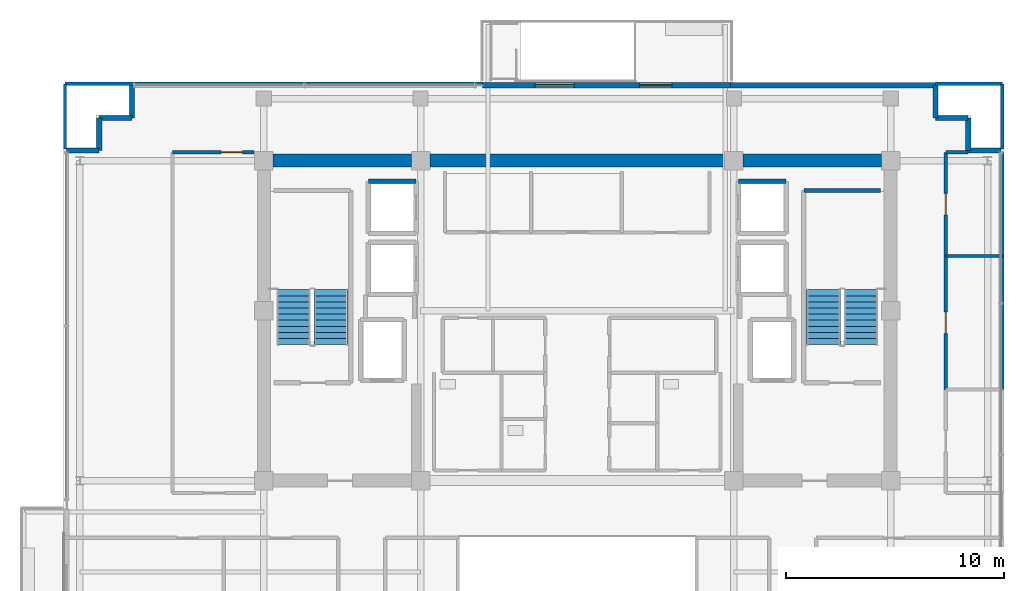
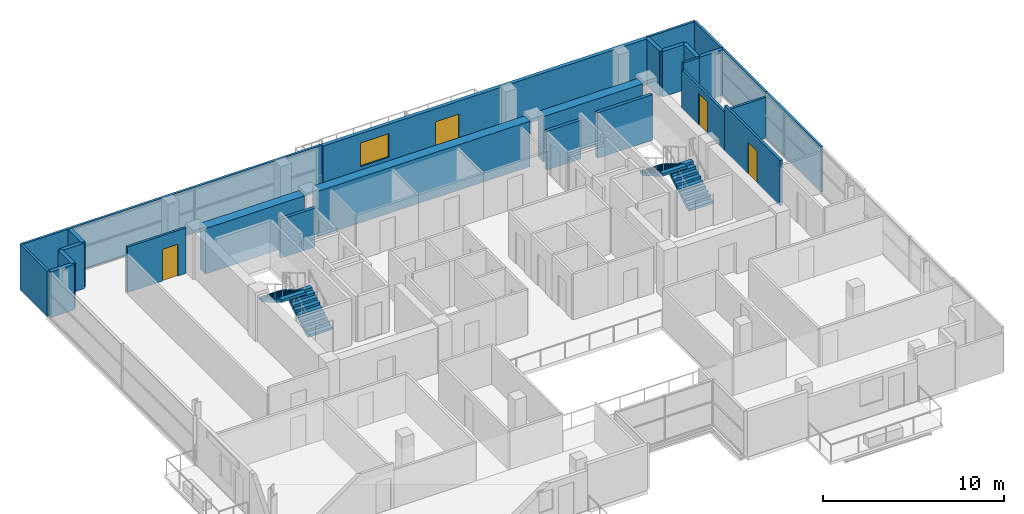
# One storey, part 19 of 24: 27 walls, 4 doors, 4 stair flights, 1 window, 5 openings, 2 elements without a shape of their own.
"""IFC4 building model written with IfcOpenShell, lengths in metres."""

from ifc_helpers import new_model, si_unit, direction, frame, frame_2d, origin, place, context, subcontext, project, spatial, polyline, rectangle, outline, extrude, source, transform, mapped, material, layer, layer_set, type_object, element, fill, aggregate, save


model = new_model("IFC4")

# Units and contexts
model_context = context("Model", 3, precision=1e-05, world=origin(), true_north=direction((0.0, 1.0)))
body_context = subcontext(model_context, "Body", "Model", "MODEL_VIEW")
ifc_project = project(units=[si_unit("LENGTHUNIT", "METRE"), si_unit("AREAUNIT", "SQUARE_METRE"), si_unit("VOLUMEUNIT", "CUBIC_METRE"), si_unit("PLANEANGLEUNIT", "RADIAN"), si_unit("MASSUNIT", "GRAM", prefix="KILO")], contexts=[model_context])

# Site, building, storey
site_placement = place(None, origin())
site = spatial("IfcSite", under=ifc_project, at=site_placement, CompositionType="ELEMENT")
building_placement = place(site_placement, origin())
building = spatial("IfcBuilding", under=site, at=building_placement, Name="Zarnakvel Exchange Tower", CompositionType="ELEMENT")
storey_placement = place(building_placement, frame((0.0, 0.0, 208.89990234375)))
storey = spatial("IfcBuildingStorey", under=building, at=storey_placement, Name="L58", CompositionType="ELEMENT", Elevation=208.89990234375)

# Walls
ifc_material_1 = material(Name="Concrete C50/60", Category="concrete")
ifc_layer_1 = layer(ifc_material_1, 0.60009765625)
ifc_layer_set_1 = layer_set([ifc_layer_1], Name="Concrete C50/60")
wall_type_1 = type_object("IfcWallType", Name="CW-C5", PredefinedType="SHEAR", material=ifc_layer_set_1)
wall_1_placement = place(storey_placement, frame((-13.97509765625, 13.5, 0.0), z_axis=(0.0, 0.0, 1.0), x_axis=(1.0, 0.0, 0.0)))
element("IfcWall", 1, at=wall_1_placement, inside=storey, type_object=wall_type_1, Name="L58 Rear Core Shear Wall N1 (CW-C5)", PredefinedType="SHEAR", context=body_context, shape_type="SweptSolid", body=[
    extrude(rectangle(XDim=6.35009765625, YDim=0.60009765625, at=frame_2d((3.175048828125, 0.0))), origin(), (0.0, 0.0, 1.0), 3.0751953125),
])
wall_2_placement = place(storey_placement, frame((-6.77490234375, 13.5, 0.0), z_axis=(0.0, 0.0, 1.0), x_axis=(1.0, 0.0, 0.0)))
element("IfcWall", 2, at=wall_2_placement, inside=storey, type_object=wall_type_1, Name="L58 Rear Core Shear Wall N2 (CW-C5)", PredefinedType="SHEAR", context=body_context, shape_type="SweptSolid", body=[
    extrude(rectangle(XDim=13.5498046875, YDim=0.60009765625, at=frame_2d((6.77490234375, 0.0))), origin(), (0.0, 0.0, 1.0), 3.0751953125),
])
wall_3_placement = place(storey_placement, frame((7.625, 13.5, 0.0), z_axis=(0.0, 0.0, 1.0), x_axis=(1.0, 0.0, 0.0)))
element("IfcWall", 3, at=wall_3_placement, inside=storey, type_object=wall_type_1, Name="L58 Rear Core Shear Wall N3 (CW-C5)", PredefinedType="SHEAR", context=body_context, shape_type="SweptSolid", body=[
    extrude(rectangle(XDim=6.35009765625, YDim=0.60009765625, at=frame_2d((3.175048828125, 0.0))), origin(), (0.0, 0.0, 1.0), 3.0751953125),
])

# Wall, openings, door, window
ifc_material_2 = material(Name="Precast concrete C40/50", Category="concrete")
ifc_layer_2 = layer(ifc_material_2, 0.239990234375)
ifc_layer_set_2 = layer_set([ifc_layer_2], Name="Precast concrete C40/50")
wall_type_2 = type_object("IfcWallType", Name="EW-02", PredefinedType="SOLIDWALL", material=ifc_layer_set_2)
wall_4_placement = place(storey_placement, frame((-4.35009765625, 16.9599609375, 0.0), z_axis=(0.0, 0.0, 1.0), x_axis=(1.0, 0.0, 0.0)))
wall_4 = element("IfcWall", 4, at=wall_4_placement, inside=storey, type_object=wall_type_2, Name="L58 Exterior Precast Spandrel Wall EW-SPTER-L58 (EW-02)", PredefinedType="SOLIDWALL", context=body_context, shape_type="SweptSolid", body=[
    extrude(rectangle(XDim=11.400146484375, YDim=0.239990234375, at=frame_2d((5.7001953125, 0.0))), origin(), (0.0, 0.0, 1.0), 3.0751953125),
])
opening_1_placement = place(wall_4_placement, frame((7.199951171875, 0.0, 0.0)))
opening_1 = element("IfcOpeningElement", 5, at=opening_1_placement, cuts=wall_4, Name="Opening TD-L58-SP", PredefinedType="OPENING", context=body_context, shape_type="SweptSolid", body=[
    extrude(rectangle(XDim=1.5, YDim=2.199951171875, at=frame_2d((0.75, 1.10009765625))), frame((0.0, 0.1298828125, 0.0), z_axis=(0.0, -1.0, 0.0), x_axis=(1.0, 0.0, 0.0)), (0.0, 0.0, 1.0), 0.260009765625),
])
opening_2_placement = place(wall_4_placement, frame((2.39990234375, 0.0, 0.85009765625)))
opening_2 = element("IfcOpeningElement", 6, at=opening_2_placement, cuts=wall_4, Name="Opening WN-05", PredefinedType="OPENING", context=body_context, shape_type="SweptSolid", body=[
    extrude(rectangle(XDim=1.800048828125, YDim=1.60009765625, at=frame_2d((0.89990234375, 0.800048828125))), frame((0.0, 0.1298828125, 0.0), z_axis=(0.0, -1.0, 0.0), x_axis=(1.0, 0.0, 0.0)), (0.0, 0.0, 1.0), 0.260009765625),
])
ifc_material_3 = material(Name="Architectural Bronze Anodised Aluminium", Category="aluminium")
door_type_1 = type_object("IfcDoorType", Name="DT-10", OperationType="NOTDEFINED", PredefinedType="DOOR", material=ifc_material_3)
shared_shape_1 = source(origin(), body_context, "Body", "SweptSolid", [
    extrude(rectangle(XDim=1.5, YDim=2.199951171875, at=frame_2d((0.75, 1.10009765625))), frame((0.0, 0.02490234375, 0.0), z_axis=(0.0, -1.0, 0.0), x_axis=(1.0, 0.0, 0.0)), (0.0, 0.0, 1.0), 0.050048828125),
])
door_1_placement = place(opening_1_placement, origin())
door_1 = element("IfcDoor", 7, at=door_1_placement, inside=storey, type_object=door_type_1, Name="L58 Spiral Sky-Terrace Access Door TD-L58-SP", OperationType="DOUBLE_DOOR_SINGLE_SWING", OverallHeight=2.199951171875, OverallWidth=1.5, PredefinedType="DOOR", context=body_context, shape_type="MappedRepresentation", body=[
    mapped(shared_shape_1, transform((0.0, 0.0, 0.0), x_axis=(1.0, 0.0, 0.0), y_axis=(0.0, 1.0, 0.0), z_axis=(0.0, 0.0, 1.0), scale=1.0)),
])
fill(opening_1, door_1)
ifc_material_4 = material(Name="Double Low-E Laminated Vision Glass", Category="glass")
window_type = type_object("IfcWindowType", Name="WN-05", PartitioningType="SINGLE_PANEL", PredefinedType="WINDOW", material=ifc_material_4)
shared_shape_2 = source(origin(), body_context, "Body", "SweptSolid", [
    extrude(rectangle(XDim=1.800048828125, YDim=1.60009765625, at=frame_2d((0.89990234375, 0.800048828125))), frame((0.0, 0.030029296875, 0.0), z_axis=(0.0, -1.0, 0.0), x_axis=(1.0, 0.0, 0.0)), (0.0, 0.0, 1.0), 0.06005859375),
])
window_placement = place(opening_2_placement, origin())
window = element("IfcWindow", 8, at=window_placement, inside=storey, type_object=window_type, Name="L58 Spiral Sky-Terrace Lounge Window", OverallHeight=1.60009765625, OverallWidth=1.800048828125, PartitioningType="SINGLE_PANEL", PredefinedType="WINDOW", context=body_context, shape_type="MappedRepresentation", body=[
    mapped(shared_shape_2, transform((0.0, 0.0, 0.0), x_axis=(1.0, 0.0, 0.0), y_axis=(0.0, 1.0, 0.0), z_axis=(0.0, 0.0, 1.0), scale=1.0)),
])
fill(opening_2, window)

# Walls
for number, where, z_axis, x_axis, name in (
    (9, (-21.9599609375, 13.9599609375, 0.0), (0.0, 0.0, 1.0), (-1.0, 0.0, 0.0), "L58 Exterior Precast Spandrel Wall EWC-L58-03 (EW-02)"),
    (10, (-21.9599609375, 15.4599609375, 0.0), (0.0, 0.0, 1.0), (0.0, -1.0, 0.0), "L58 Exterior Precast Spandrel Wall EWC-L58-04 (EW-02)"),
    (11, (-20.4599609375, 15.4599609375, 0.0), (0.0, 0.0, 1.0), (-1.0, 0.0, 0.0), "L58 Exterior Precast Spandrel Wall EWC-L58-05 (EW-02)"),
    (12, (-20.4599609375, 16.9599609375, 0.0), (0.0, 0.0, 1.0), (0.0, -1.0, 0.0), "L58 Exterior Precast Spandrel Wall EWC-L58-06 (EW-02)"),
):
    element("IfcWall", number, at=place(storey_placement, frame(where, z_axis=z_axis, x_axis=x_axis)), inside=storey, type_object=wall_type_2, Name=name, PredefinedType="SOLIDWALL", context=body_context, shape_type="SweptSolid", body=[
        extrude(rectangle(XDim=1.5, YDim=0.239990234375, at=frame_2d((0.75, 0.0))), origin(), (0.0, 0.0, 1.0), 3.0751953125),
    ])
wall_5_placement = place(storey_placement, frame((16.4599609375, 16.9599609375, 0.0), z_axis=(0.0, 0.0, 1.0), x_axis=(-1.0, 0.0, 0.0)))
element("IfcWall", 13, at=wall_5_placement, inside=storey, type_object=wall_type_2, Name="L58 Exterior Precast Spandrel Wall EWC-L58-08 (EW-02)", PredefinedType="SOLIDWALL", context=body_context, shape_type="SweptSolid", body=[
    extrude(rectangle(XDim=9.409912109375, YDim=0.239990234375, at=frame_2d((4.705078125, 0.0))), origin(), (0.0, 0.0, 1.0), 3.0751953125),
])
for number, where, z_axis, x_axis, name in (
    (14, (16.4599609375, 15.4599609375, 0.0), (0.0, 0.0, 1.0), (0.0, 1.0, 0.0), "L58 Exterior Precast Spandrel Wall EWC-L58-09 (EW-02)"),
    (15, (17.9599609375, 15.4599609375, 0.0), (0.0, 0.0, 1.0), (-1.0, 0.0, 0.0), "L58 Exterior Precast Spandrel Wall EWC-L58-10 (EW-02)"),
    (16, (17.9599609375, 13.9599609375, 0.0), (0.0, 0.0, 1.0), (0.0, 1.0, 0.0), "L58 Exterior Precast Spandrel Wall EWC-L58-11 (EW-02)"),
    (17, (19.4599609375, 13.9599609375, 0.0), (0.0, 0.0, 1.0), (-1.0, 0.0, 0.0), "L58 Exterior Precast Spandrel Wall EWC-L58-12 (EW-02)"),
):
    element("IfcWall", number, at=place(storey_placement, frame(where, z_axis=z_axis, x_axis=x_axis)), inside=storey, type_object=wall_type_2, Name=name, PredefinedType="SOLIDWALL", context=body_context, shape_type="SweptSolid", body=[
        extrude(rectangle(XDim=1.5, YDim=0.239990234375, at=frame_2d((0.75, 0.0))), origin(), (0.0, 0.0, 1.0), 3.0751953125),
    ])

# Wall, opening, door
ifc_material_5 = material(Name="Fire-Rated Gypsum Stud Partition", Category="gypsum")
ifc_layer_3 = layer(ifc_material_5, 0.14990234375)
ifc_layer_set_3 = layer_set([ifc_layer_3], Name="Fire-Rated Gypsum Stud Partition")
wall_type_3 = type_object("IfcWallType", Name="PT-01", PredefinedType="PARTITIONING", material=ifc_layer_set_3)
wall_6_placement = place(storey_placement, frame((-18.599609375, 13.8798828125, 0.0), z_axis=(0.0, 0.0, 1.0), x_axis=(1.0, 0.0, 0.0)))
wall_6 = element("IfcWall", 18, at=wall_6_placement, inside=storey, type_object=wall_type_3, Name="L58 Partition Wall PWALL-L58-070 (PT-01)", PredefinedType="PARTITIONING", context=body_context, shape_type="SweptSolid", body=[
    extrude(rectangle(XDim=3.754638671875, YDim=0.14990234375, at=frame_2d((1.87744140625, 0.0))), origin(), (0.0, 0.0, 1.0), 3.0751953125),
])
opening_3_placement = place(wall_6_placement, frame((2.24462890625, 0.0, 0.0)))
opening_3 = element("IfcOpeningElement", 19, at=opening_3_placement, cuts=wall_6, Name="Opening D-L58-28", PredefinedType="OPENING", context=body_context, shape_type="SweptSolid", body=[
    extrude(rectangle(XDim=0.97998046875, YDim=2.14990234375, at=frame_2d((0.489990234375, 1.074951171875))), frame((0.0, 0.0849609375, 0.0), z_axis=(0.0, -1.0, 0.0), x_axis=(1.0, 0.0, 0.0)), (0.0, 0.0, 1.0), 0.169921875),
])
ifc_material_6 = material(Name="Timber Acoustic Veneer", Category="wood")
door_type_2 = type_object("IfcDoorType", Name="DT-05", OperationType="NOTDEFINED", PredefinedType="DOOR", material=ifc_material_6)
shared_shape_3 = source(origin(), body_context, "Body", "SweptSolid", [
    extrude(rectangle(XDim=0.97998046875, YDim=2.14990234375, at=frame_2d((0.489990234375, 1.074951171875))), frame((0.0, 0.02490234375, 0.0), z_axis=(0.0, -1.0, 0.0), x_axis=(1.0, 0.0, 0.0)), (0.0, 0.0, 1.0), 0.050048828125),
])
door_2_placement = place(opening_3_placement, origin())
door_2 = element("IfcDoor", 20, at=door_2_placement, inside=storey, type_object=door_type_2, Name="L58 Market Data Suite Door D-L58-28", OperationType="SINGLE_SWING_LEFT", OverallHeight=2.14990234375, OverallWidth=0.97998046875, PredefinedType="DOOR", context=body_context, shape_type="MappedRepresentation", body=[
    mapped(shared_shape_3, transform((0.0, 0.0, 0.0), x_axis=(1.0, 0.0, 0.0), y_axis=(0.0, 1.0, 0.0), z_axis=(0.0, 0.0, 1.0), scale=1.0)),
])
fill(opening_3, door_2)

# Wall
wall_7_placement = place(storey_placement, frame((16.929931640625, 9.123046875, 0.0), z_axis=(0.0, 0.0, 1.0), x_axis=(1.0, 0.0, 0.0)))
element("IfcWall", 21, at=wall_7_placement, inside=storey, type_object=wall_type_3, Name="L58 Partition Wall PWALL-L58-076 (PT-01)", PredefinedType="PARTITIONING", context=body_context, shape_type="SweptSolid", body=[
    extrude(rectangle(XDim=2.60009765625, YDim=0.14990234375, at=frame_2d((1.300048828125, 0.0))), origin(), (0.0, 0.0, 1.0), 2.76513671875),
])

# Wall, opening, door
wall_8_placement = place(storey_placement, frame((16.929931640625, 2.987060546875, 0.0), z_axis=(0.0, 0.0, 1.0), x_axis=(0.0, 1.0, 0.0)))
wall_8 = element("IfcWall", 22, at=wall_8_placement, inside=storey, type_object=wall_type_3, Name="L58 Partition Wall PWALL-L58-077 (PT-01)", PredefinedType="PARTITIONING", context=body_context, shape_type="SweptSolid", body=[
    extrude(rectangle(XDim=6.135986328125, YDim=0.14990234375, at=frame_2d((3.06787109375, 0.0))), origin(), (0.0, 0.0, 1.0), 3.0751953125),
])
opening_4_placement = place(wall_8_placement, frame((2.577880859375, 0.0, 0.0)))
opening_4 = element("IfcOpeningElement", 23, at=opening_4_placement, cuts=wall_8, Name="Opening D-L58-26", PredefinedType="OPENING", context=body_context, shape_type="SweptSolid", body=[
    extrude(rectangle(XDim=0.97998046875, YDim=2.14990234375, at=frame_2d((0.489990234375, 1.074951171875))), frame((0.0, 0.0849609375, 0.0), z_axis=(0.0, -1.0, 0.0), x_axis=(1.0, 0.0, 0.0)), (0.0, 0.0, 1.0), 0.169921875),
])
door_3_placement = place(opening_4_placement, origin())
door_3 = element("IfcDoor", 24, at=door_3_placement, inside=storey, type_object=door_type_2, Name="L58 Market Data Suite Door D-L58-26", OperationType="SINGLE_SWING_LEFT", OverallHeight=2.14990234375, OverallWidth=0.97998046875, PredefinedType="DOOR", context=body_context, shape_type="MappedRepresentation", body=[
    mapped(shared_shape_3, transform((0.0, 0.0, 0.0), x_axis=(1.0, 0.0, 0.0), y_axis=(0.0, 1.0, 0.0), z_axis=(0.0, 0.0, 1.0), scale=1.0)),
])
fill(opening_4, door_3)

# Walls
wall_9_placement = place(storey_placement, frame((19.530029296875, 9.123046875, 0.0), z_axis=(0.0, 0.0, 1.0), x_axis=(0.0, -1.0, 0.0)))
element("IfcWall", 25, at=wall_9_placement, inside=storey, type_object=wall_type_3, Name="L58 Partition Wall PWALL-L58-078 (PT-01)", PredefinedType="PARTITIONING", context=body_context, shape_type="SweptSolid", body=[
    extrude(rectangle(XDim=6.135986328125, YDim=0.14990234375, at=frame_2d((3.06787109375, 0.0))), origin(), (0.0, 0.0, 1.0), 3.0751953125),
])
wall_10_placement = place(storey_placement, frame((16.929931640625, 13.8798828125, 0.0), z_axis=(0.0, 0.0, 1.0), x_axis=(1.0, 0.0, 0.0)))
element("IfcWall", 26, at=wall_10_placement, inside=storey, type_object=wall_type_3, Name="L58 Partition Wall PWALL-L58-079 (PT-01)", PredefinedType="PARTITIONING", context=body_context, shape_type="SweptSolid", body=[
    extrude(rectangle(XDim=1.030029296875, YDim=0.14990234375, at=frame_2d((0.51513671875, 0.0))), origin(), (0.0, 0.0, 1.0), 3.0751953125),
])

# Wall, opening, door
wall_11_placement = place(storey_placement, frame((16.929931640625, 9.123046875, 0.0), z_axis=(0.0, 0.0, 1.0), x_axis=(0.0, 1.0, 0.0)))
wall_11 = element("IfcWall", 27, at=wall_11_placement, inside=storey, type_object=wall_type_3, Name="L58 Partition Wall PWALL-L58-080 (PT-01)", PredefinedType="PARTITIONING", context=body_context, shape_type="SweptSolid", body=[
    extrude(rectangle(XDim=4.7568359375, YDim=0.14990234375, at=frame_2d((2.37841796875, 0.0))), origin(), (0.0, 0.0, 1.0), 2.614990234375),
])
opening_5_placement = place(wall_11_placement, frame((1.888916015625, 0.0, 0.0)))
opening_5 = element("IfcOpeningElement", 28, at=opening_5_placement, cuts=wall_11, Name="Opening D-L58-27", PredefinedType="OPENING", context=body_context, shape_type="SweptSolid", body=[
    extrude(rectangle(XDim=0.97998046875, YDim=2.14990234375, at=frame_2d((0.489990234375, 1.074951171875))), frame((0.0, 0.0849609375, 0.0), z_axis=(0.0, -1.0, 0.0), x_axis=(1.0, 0.0, 0.0)), (0.0, 0.0, 1.0), 0.169921875),
])
door_4_placement = place(opening_5_placement, origin())
door_4 = element("IfcDoor", 29, at=door_4_placement, inside=storey, type_object=door_type_2, Name="L58 Members Lounge Door D-L58-27", OperationType="SINGLE_SWING_RIGHT", OverallHeight=2.14990234375, OverallWidth=0.97998046875, PredefinedType="DOOR", context=body_context, shape_type="MappedRepresentation", body=[
    mapped(shared_shape_3, transform((0.0, 0.0, 0.0), x_axis=(1.0, 0.0, 0.0), y_axis=(0.0, 1.0, 0.0), z_axis=(0.0, 0.0, 1.0), scale=1.0)),
])
fill(opening_5, door_4)

# Walls
wall_12_placement = place(storey_placement, frame((19.530029296875, 13.8798828125, 0.0), z_axis=(0.0, 0.0, 1.0), x_axis=(0.0, -1.0, 0.0)))
element("IfcWall", 30, at=wall_12_placement, inside=storey, type_object=wall_type_3, Name="L58 Partition Wall PWALL-L58-081 (PT-01)", PredefinedType="PARTITIONING", context=body_context, shape_type="SweptSolid", body=[
    extrude(rectangle(XDim=4.7568359375, YDim=0.14990234375, at=frame_2d((2.37841796875, 0.0))), origin(), (0.0, 0.0, 1.0), 3.0751953125),
])
wall_13_placement = place(storey_placement, frame((-23.530029296875, 17.030029296875, 0.0), z_axis=(0.0, 0.0, 1.0), x_axis=(1.0, 0.0, 0.0)))
element("IfcWall", 31, at=wall_13_placement, inside=storey, type_object=wall_type_3, Name="L58 Partition Wall PWALL-L58-082 (PT-01)", PredefinedType="PARTITIONING", context=body_context, shape_type="SweptSolid", body=[
    extrude(rectangle(XDim=19.179931640625, YDim=0.14990234375, at=frame_2d((9.58984375, 0.0))), origin(), (0.0, 0.0, 1.0), 3.0751953125),
])
for number, where, z_axis, x_axis, name in (
    (32, (-23.530029296875, 14.030029296875, 0.0), (0.0, 0.0, 1.0), (0.0, 1.0, 0.0), "L58 Partition Wall PWALL-L58-083 (PT-01)"),
    (33, (19.530029296875, 17.030029296875, 0.0), (0.0, 0.0, 1.0), (0.0, -1.0, 0.0), "L58 Partition Wall PWALL-L58-084 (PT-01)"),
):
    element("IfcWall", number, at=place(storey_placement, frame(where, z_axis=z_axis, x_axis=x_axis)), inside=storey, type_object=wall_type_3, Name=name, PredefinedType="PARTITIONING", context=body_context, shape_type="SweptSolid", body=[
        extrude(rectangle(XDim=3.0, YDim=0.14990234375, at=frame_2d((1.5, 0.0))), origin(), (0.0, 0.0, 1.0), 3.0751953125),
    ])
wall_14_placement = place(storey_placement, frame((16.4599609375, 17.030029296875, 0.0), z_axis=(0.0, 0.0, 1.0), x_axis=(1.0, 0.0, 0.0)))
element("IfcWall", 34, at=wall_14_placement, inside=storey, type_object=wall_type_3, Name="L58 Partition Wall PWALL-L58-082-S1 (PT-01)", PredefinedType="PARTITIONING", context=body_context, shape_type="SweptSolid", body=[
    extrude(rectangle(XDim=3.070068359375, YDim=0.14990234375, at=frame_2d((1.53515625, 0.0))), origin(), (0.0, 0.0, 1.0), 3.0751953125),
])
ifc_material_7 = material(Name="Concrete C40/50", Category="concrete")
ifc_layer_4 = layer(ifc_material_7, 0.199951171875)
ifc_layer_set_4 = layer_set([ifc_layer_4], Name="Concrete C40/50")
wall_type_4 = type_object("IfcWallType", Name="SW-01", PredefinedType="SOLIDWALL", material=ifc_layer_set_4)
for number, where, z_axis, x_axis, name in (
    (35, (-9.60009765625, 12.550048828125, 0.0), (0.0, 0.0, 1.0), (1.0, 0.0, 0.0), "L58 PL-10 Hoistway Wall North"),
    (36, (7.39990234375, 12.550048828125, 0.0), (0.0, 0.0, 1.0), (1.0, 0.0, 0.0), "L58 PL-12 Hoistway Wall North"),
):
    element("IfcWall", number, at=place(storey_placement, frame(where, z_axis=z_axis, x_axis=x_axis)), inside=storey, type_object=wall_type_4, Name=name, PredefinedType="SOLIDWALL", context=body_context, shape_type="SweptSolid", body=[
        extrude(rectangle(XDim=2.2001953125, YDim=0.199951171875, at=frame_2d((1.10009765625, 0.0))), origin(), (0.0, 0.0, 1.0), 2.614990234375),
    ])
ifc_layer_5 = layer(ifc_material_7, 0.199951171875)
ifc_layer_set_5 = layer_set([ifc_layer_5], Name="Concrete C40/50")
wall_type_5 = type_object("IfcWallType", Name="SW-02", PredefinedType="SOLIDWALL", material=ifc_layer_set_5)
wall_15_placement = place(storey_placement, frame((10.409912109375, 12.1298828125, 0.0), z_axis=(0.0, 0.0, 1.0), x_axis=(1.0, 0.0, 0.0)))
element("IfcWall", 37, at=wall_15_placement, inside=storey, type_object=wall_type_5, Name="L58 Stairwell Core Wall PWALL-L58-005 (SW-02)", PredefinedType="SOLIDWALL", context=body_context, shape_type="SweptSolid", body=[
    extrude(rectangle(XDim=3.52001953125, YDim=0.199951171875, at=frame_2d((1.760009765625, 0.0))), origin(), (0.0, 0.0, 1.0), 3.0751953125),
])

# Stair, stair flights
stair_type = type_object("IfcStairType", Name="STR-01", PredefinedType="HALF_TURN_STAIR", material=ifc_material_7)
stair_1_placement = place(storey_placement, origin())
stair_1 = element("IfcStair", 38, at=stair_1_placement, inside=storey, type_object=stair_type, Name="L58 Protected Core Exit Stair ST-01", PredefinedType="HALF_TURN_STAIR")
stair_flight_type = type_object("IfcStairFlightType", Name="FLT-01", PredefinedType="STRAIGHT", material=ifc_material_7)
stair_flight_1_placement = place(storey_placement, frame((-11.31494140625, 5.050048828125, 0.0), z_axis=(0.0, 0.0, 1.0), x_axis=(0.0, 1.0, 0.0)))
stair_flight_1 = element("IfcStairFlight", 39, at=stair_flight_1_placement, type_object=stair_flight_type, Name="ST-01 flight 1", NumberOfRisers=10, NumberOfTreads=9, PredefinedType="STRAIGHT", RiserHeight=0.165, TreadLength=0.28, context=body_context, shape_type="SweptSolid", body=[
    extrude(outline(polyline([(0.0, 0.0), (0.0, 0.1650390625), (0.280029296875, 0.1650390625), (0.280029296875, 0.330078125), (0.56005859375, 0.330078125), (0.56005859375, 0.4951171875), (0.840087890625, 0.4951171875), (0.840087890625, 0.659912109375), (1.1201171875, 0.659912109375), (1.1201171875, 0.824951171875), (1.39990234375, 0.824951171875), (1.39990234375, 0.989990234375), (1.679931640625, 0.989990234375), (1.679931640625, 1.155029296875), (1.9599609375, 1.155029296875), (1.9599609375, 1.320068359375), (2.239990234375, 1.320068359375), (2.239990234375, 1.485107421875), (2.52001953125, 1.485107421875), (2.52001953125, 1.64990234375), (2.52001953125, 1.31103515625), (0.295166015625, 0.0), (0.0, 0.0)])), frame((0.0, 0.77490234375, 0.0), z_axis=(0.0, -1.0, 0.0), x_axis=(1.0, 0.0, 0.0)), (0.0, 0.0, 1.0), 1.550048828125),
])
stair_flight_2_placement = place(storey_placement, frame((-13.02490234375, 7.570068359375, 1.650146484375), z_axis=(0.0, 0.0, 1.0), x_axis=(0.0, -1.0, 0.0)))
stair_flight_2 = element("IfcStairFlight", 40, at=stair_flight_2_placement, type_object=stair_flight_type, Name="ST-01 flight 2", NumberOfRisers=10, NumberOfTreads=9, PredefinedType="STRAIGHT", RiserHeight=0.165, TreadLength=0.28, context=body_context, shape_type="SweptSolid", body=[
    extrude(outline(polyline([(0.0, 0.0), (0.0, 0.1650390625), (0.280029296875, 0.1650390625), (0.280029296875, 0.330078125), (0.56005859375, 0.330078125), (0.56005859375, 0.4951171875), (0.840087890625, 0.4951171875), (0.840087890625, 0.659912109375), (1.1201171875, 0.659912109375), (1.1201171875, 0.824951171875), (1.39990234375, 0.824951171875), (1.39990234375, 0.989990234375), (1.679931640625, 0.989990234375), (1.679931640625, 1.155029296875), (1.9599609375, 1.155029296875), (1.9599609375, 1.320068359375), (2.239990234375, 1.320068359375), (2.239990234375, 1.485107421875), (2.52001953125, 1.485107421875), (2.52001953125, 1.64990234375), (2.52001953125, 1.31103515625), (0.295166015625, 0.0), (0.0, 0.0)])), frame((0.0, 0.77490234375, 0.0), z_axis=(0.0, -1.0, 0.0), x_axis=(1.0, 0.0, 0.0)), (0.0, 0.0, 1.0), 1.550048828125),
])
aggregate(stair_1, [stair_flight_1, stair_flight_2])

stair_2_placement = place(storey_placement, origin())
stair_2 = element("IfcStair", 41, at=stair_2_placement, inside=storey, type_object=stair_type, Name="L58 Protected Core Exit Stair ST-02", PredefinedType="HALF_TURN_STAIR")
stair_flight_3_placement = place(storey_placement, frame((13.02490234375, 5.050048828125, 0.0), z_axis=(0.0, 0.0, 1.0), x_axis=(0.0, 1.0, 0.0)))
stair_flight_3 = element("IfcStairFlight", 42, at=stair_flight_3_placement, type_object=stair_flight_type, Name="ST-02 flight 1", NumberOfRisers=10, NumberOfTreads=9, PredefinedType="STRAIGHT", RiserHeight=0.165, TreadLength=0.28, context=body_context, shape_type="SweptSolid", body=[
    extrude(outline(polyline([(0.0, 0.0), (0.0, 0.1650390625), (0.280029296875, 0.1650390625), (0.280029296875, 0.330078125), (0.56005859375, 0.330078125), (0.56005859375, 0.4951171875), (0.840087890625, 0.4951171875), (0.840087890625, 0.659912109375), (1.1201171875, 0.659912109375), (1.1201171875, 0.824951171875), (1.39990234375, 0.824951171875), (1.39990234375, 0.989990234375), (1.679931640625, 0.989990234375), (1.679931640625, 1.155029296875), (1.9599609375, 1.155029296875), (1.9599609375, 1.320068359375), (2.239990234375, 1.320068359375), (2.239990234375, 1.485107421875), (2.52001953125, 1.485107421875), (2.52001953125, 1.64990234375), (2.52001953125, 1.31103515625), (0.295166015625, 0.0), (0.0, 0.0)])), frame((0.0, 0.77490234375, 0.0), z_axis=(0.0, -1.0, 0.0), x_axis=(1.0, 0.0, 0.0)), (0.0, 0.0, 1.0), 1.550048828125),
])
stair_flight_4_placement = place(storey_placement, frame((11.31494140625, 7.570068359375, 1.650146484375), z_axis=(0.0, 0.0, 1.0), x_axis=(0.0, -1.0, 0.0)))
stair_flight_4 = element("IfcStairFlight", 43, at=stair_flight_4_placement, type_object=stair_flight_type, Name="ST-02 flight 2", NumberOfRisers=10, NumberOfTreads=9, PredefinedType="STRAIGHT", RiserHeight=0.165, TreadLength=0.28, context=body_context, shape_type="SweptSolid", body=[
    extrude(outline(polyline([(0.0, 0.0), (0.0, 0.1650390625), (0.280029296875, 0.1650390625), (0.280029296875, 0.330078125), (0.56005859375, 0.330078125), (0.56005859375, 0.4951171875), (0.840087890625, 0.4951171875), (0.840087890625, 0.659912109375), (1.1201171875, 0.659912109375), (1.1201171875, 0.824951171875), (1.39990234375, 0.824951171875), (1.39990234375, 0.989990234375), (1.679931640625, 0.989990234375), (1.679931640625, 1.155029296875), (1.9599609375, 1.155029296875), (1.9599609375, 1.320068359375), (2.239990234375, 1.320068359375), (2.239990234375, 1.485107421875), (2.52001953125, 1.485107421875), (2.52001953125, 1.64990234375), (2.52001953125, 1.31103515625), (0.295166015625, 0.0), (0.0, 0.0)])), frame((0.0, 0.77490234375, 0.0), z_axis=(0.0, -1.0, 0.0), x_axis=(1.0, 0.0, 0.0)), (0.0, 0.0, 1.0), 1.550048828125),
])
aggregate(stair_2, [stair_flight_3, stair_flight_4])

save(model, "model.ifc")
